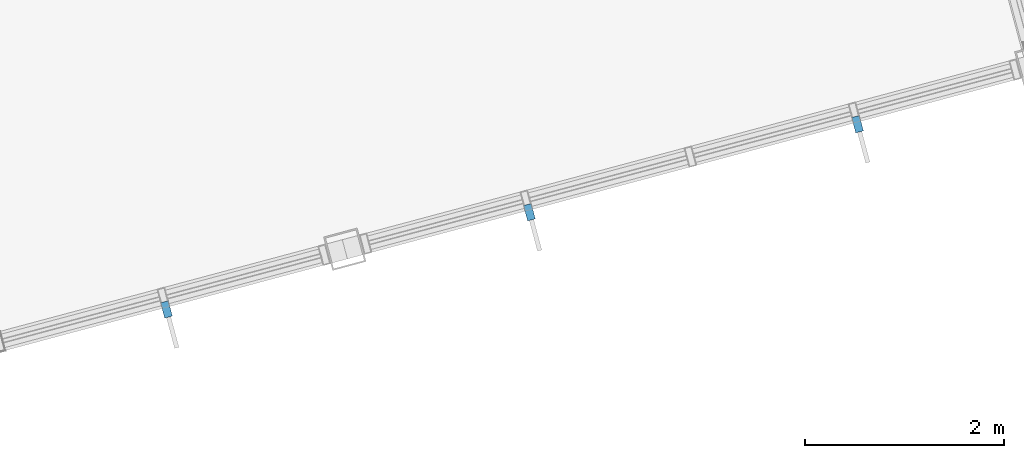
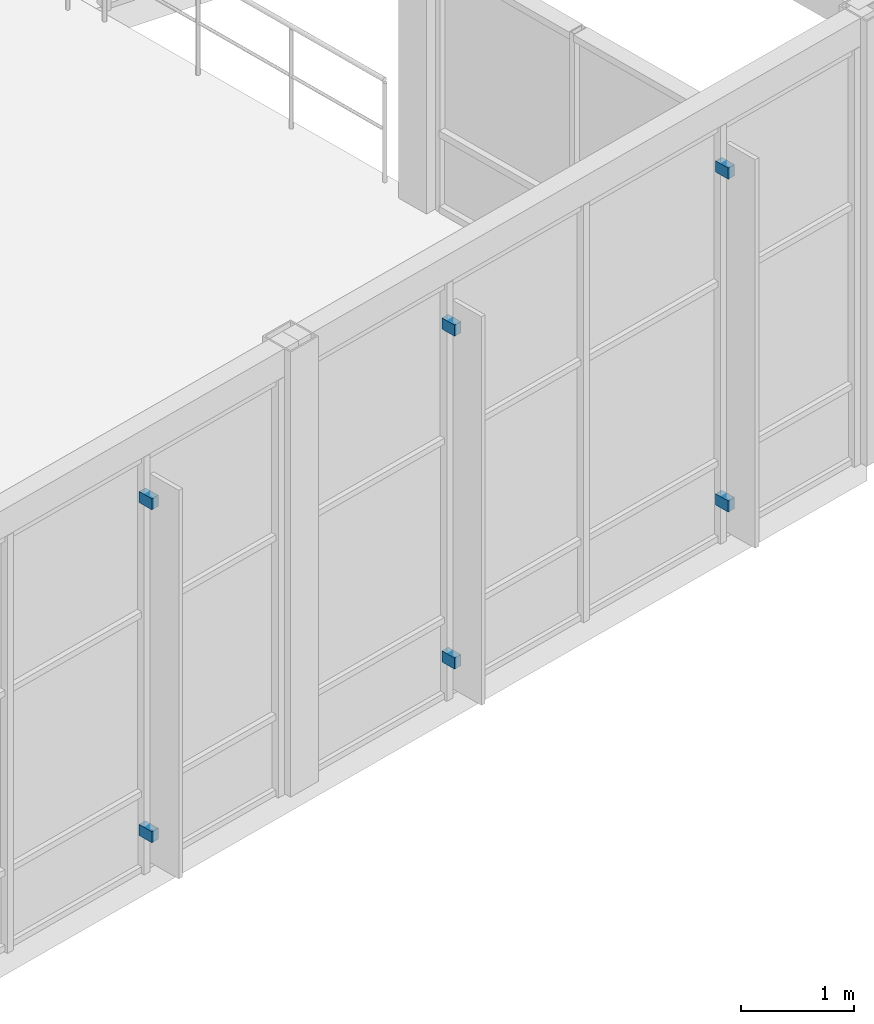
# One storey, part 90 of 99: 6 discrete accessories.
"""IFC4 building model written with IfcOpenShell, lengths in metres."""

from ifc_helpers import new_model, si_unit, direction, frame, origin, origin_2d, place, context, subcontext, project, spatial, rectangle, extrude, material, type_object, element, save


model = new_model("IFC4")

# Units and contexts
model_context = context("Model", 3, precision=1e-05, world=origin(), true_north=direction((0.0, 1.0)))
body_context = subcontext(model_context, "Body", "Model", "MODEL_VIEW")
ifc_project = project(units=[si_unit("LENGTHUNIT", "METRE"), si_unit("AREAUNIT", "SQUARE_METRE"), si_unit("VOLUMEUNIT", "CUBIC_METRE"), si_unit("PLANEANGLEUNIT", "RADIAN"), si_unit("MASSUNIT", "GRAM", prefix="KILO")], contexts=[model_context])

# Site, building, storey
site_placement = place(None, origin())
site = spatial("IfcSite", under=ifc_project, at=site_placement, CompositionType="ELEMENT")
building_placement = place(site_placement, origin())
building = spatial("IfcBuilding", under=site, at=building_placement, Name="Ventoquebrada Cableway Terminal", CompositionType="ELEMENT")
storey_placement = place(building_placement, frame((0.0, 0.0, 9.60009765625)))
storey = spatial("IfcBuildingStorey", under=building, at=storey_placement, Name="L02", CompositionType="ELEMENT", Elevation=9.60009765625)

# Discrete accessories
ifc_material = material(Name="Anodized thermally-broken aluminium", Category="aluminium")
discrete_accessory_type = type_object("IfcDiscreteAccessoryType", Name="BRK-01", PredefinedType="BRACKET", material=ifc_material)
for number, where, z_axis, x_axis, name in (
    (1, (78.001953125, 76.633056640625, 0.389892578125), (0.0, 0.0, 1.0), (0.965975498177, 0.258633595888, 0.0), "Sunshade bracket FN-079"),
    (2, (78.001953125, 76.633056640625, 3.979736328125), (0.0, 0.0, 1.0), (0.965975498177, 0.258633595888, 0.0), "Sunshade bracket FN-079"),
    (3, (81.654052734375, 77.611083984375, 0.389892578125), (0.0, 0.0, 1.0), (0.965930343386, 0.258802186477, 0.0), "Sunshade bracket FN-080"),
    (4, (81.654052734375, 77.611083984375, 3.979736328125), (0.0, 0.0, 1.0), (0.965930343386, 0.258802186477, 0.0), "Sunshade bracket FN-080"),
    (5, (84.9560546875, 78.4970703125, 0.389892578125), (0.0, 0.0, 1.0), (0.965930343386, 0.258802186477, 0.0), "Sunshade bracket FN-081"),
    (6, (84.9560546875, 78.4970703125, 3.979736328125), (0.0, 0.0, 1.0), (0.965930343386, 0.258802186477, 0.0), "Sunshade bracket FN-081"),
):
    element("IfcDiscreteAccessory", number, at=place(storey_placement, frame(where, z_axis=z_axis, x_axis=x_axis)), inside=storey, type_object=discrete_accessory_type, Name=name, PredefinedType="BRACKET", context=body_context, shape_type="SweptSolid", body=[
        extrude(rectangle(XDim=0.080078125, YDim=0.159912109375, at=origin_2d()), origin(), (0.0, 0.0, 1.0), 0.1201171875),
    ])

save(model, "model.ifc")
